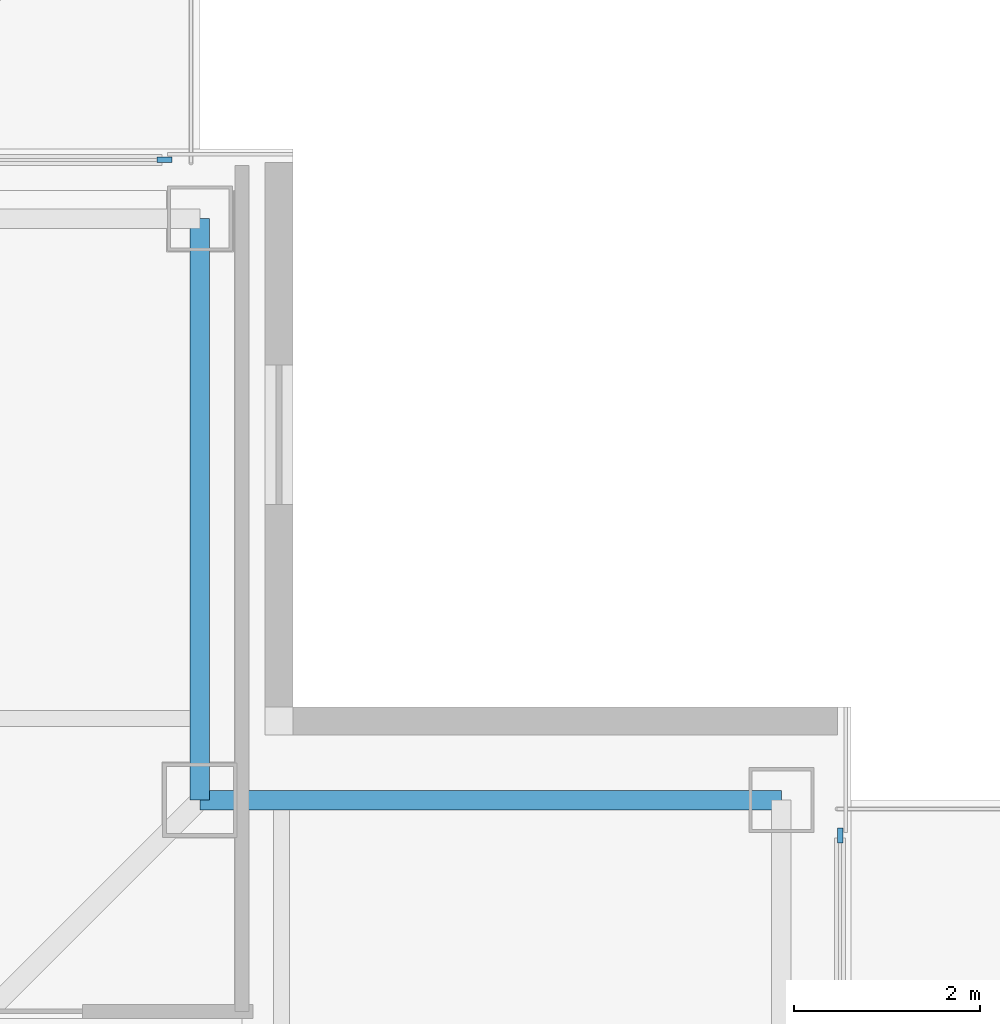
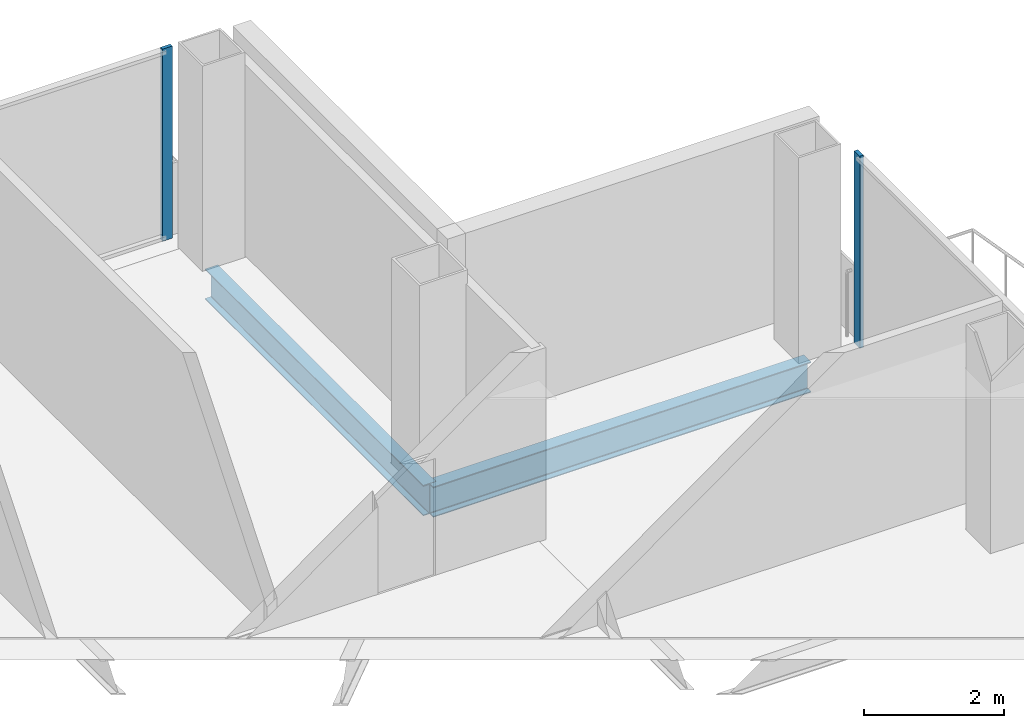
# One storey, part 8 of 17: 2 beams, 2 members, 2 elements without a shape of their own.
"""IFC4 building model written with IfcOpenShell, lengths in metres."""

from ifc_helpers import new_model, si_unit, direction, frame, origin, origin_2d, place, context, subcontext, project, spatial, rectangle, i_section, extrude, material, layer, layer_set, material_profile, profile_set, type_object, element, aggregate, save


model = new_model("IFC4")

# Units and contexts
model_context = context("Model", 3, precision=1e-05, world=origin(), true_north=direction((0.0, 1.0)))
body_context = subcontext(model_context, "Body", "Model", "MODEL_VIEW")
ifc_project = project(units=[si_unit("LENGTHUNIT", "METRE"), si_unit("AREAUNIT", "SQUARE_METRE"), si_unit("VOLUMEUNIT", "CUBIC_METRE"), si_unit("PLANEANGLEUNIT", "RADIAN"), si_unit("MASSUNIT", "GRAM", prefix="KILO")], contexts=[model_context])

# Site, building, storey
site_placement = place(None, origin())
site = spatial("IfcSite", under=ifc_project, at=site_placement, CompositionType="ELEMENT")
building_placement = place(site_placement, origin())
building = spatial("IfcBuilding", under=site, at=building_placement, Name="Trevonay Congress Spire", CompositionType="ELEMENT")
storey_placement = place(building_placement, frame((0.0, 0.0, 264.800048828125)))
storey = spatial("IfcBuildingStorey", under=building, at=storey_placement, Name="L69", CompositionType="ELEMENT", Elevation=264.800048828125)

# Beams
ifc_material_1 = material(Name="Steel ASTM A572 Grade 50", Category="steel")
ifc_material_profile_1 = material_profile(ifc_material_1, i_section(OverallWidth=0.208984375, OverallDepth=0.532958984375, WebThickness=0.01025390625, FlangeThickness=0.015625, FilletRadius=0.014892578125, at=origin_2d()), Name="W530x92")
ifc_profile_set_1 = profile_set([ifc_material_profile_1], Name="Steel ASTM A572 Grade 50")
beam_type = type_object("IfcBeamType", Name="BM-RING-W530X92", PredefinedType="BEAM", material=ifc_profile_set_1)
for number, where, z_axis, x_axis, name in (
    (1, (12.0, 18.25, -0.506591796875), (0.0, -1.0, 0.0), (1.0, 0.0, 0.0), "L69 structural beam BM-L69-N1NE"),
    (2, (18.25, 12.0, -0.506591796875), (-1.0, 0.0, 0.0), (0.0, -1.0, 0.0), "L69 structural beam BM-L69-N2NE"),
):
    element("IfcBeam", number, at=place(storey_placement, frame(where, z_axis=z_axis, x_axis=x_axis)), inside=storey, type_object=beam_type, Name=name, PredefinedType="BEAM", context=body_context, shape_type="SweptSolid", body=[
        extrude(i_section(OverallWidth=0.208984375, OverallDepth=0.532958984375, WebThickness=0.01025390625, FlangeThickness=0.015625, FilletRadius=0.014892578125, at=origin_2d()), origin(), (0.0, 0.0, 1.0), 6.25),
    ])

# Curtain wall, member
ifc_material_2 = material(Name="Pale Anodised Aluminium EN AW-6063-T6", Category="aluminium")
ifc_layer = layer(ifc_material_2, 0.1650390625, Name="Pale Anodised Aluminium EN AW-6063-T6")
ifc_layer_set = layer_set([ifc_layer], Name="Pale Anodised Aluminium EN AW-6063-T6")
curtain_wall_type = type_object("IfcCurtainWallType", Name="CW-SYS05-DIPLOM-PALE-METAL", PredefinedType="NOTDEFINED", material=ifc_layer_set)
curtain_wall_1_placement = place(storey_placement, origin())
curtain_wall_1 = element("IfcCurtainWall", 3, at=curtain_wall_1_placement, inside=storey, type_object=curtain_wall_type, Name="L69 NB unitised curtain wall", PredefinedType="NOTDEFINED")
ifc_material_profile_2 = material_profile(ifc_material_2, rectangle(XDim=0.06005859375, YDim=0.159912109375, at=origin_2d()), Name="CW-MULLION-160-ALUMINIUM")
ifc_profile_set_2 = profile_set([ifc_material_profile_2], Name="Pale Anodised Aluminium EN AW-6063-T6")
member_type = type_object("IfcMemberType", Name="CW-MULLION-160-ALUMINIUM", PredefinedType="MULLION", material=ifc_profile_set_2)
member_1_placement = place(storey_placement, frame((11.6201171875, 18.8798828125, 0.0), z_axis=(0.0, 0.0, 1.0), x_axis=(0.0, 1.0, 0.0)))
member_1 = element("IfcMember", 4, at=member_1_placement, type_object=member_type, Name="CW05 mullion 2", PredefinedType="MULLION", context=body_context, shape_type="SweptSolid", body=[
    extrude(rectangle(XDim=0.06005859375, YDim=0.159912109375, at=origin_2d()), origin(), (0.0, 0.0, 1.0), 3.35986328125),
])
aggregate(curtain_wall_1, [member_1])

curtain_wall_2_placement = place(storey_placement, origin())
curtain_wall_2 = element("IfcCurtainWall", 5, at=curtain_wall_2_placement, inside=storey, type_object=curtain_wall_type, Name="L69 EB unitised curtain wall", PredefinedType="NOTDEFINED")
member_2_placement = place(storey_placement, frame((18.8798828125, 11.6201171875, 0.0), z_axis=(0.0, 0.0, 1.0), x_axis=(-1.0, 0.0, 0.0)))
member_2 = element("IfcMember", 6, at=member_2_placement, type_object=member_type, Name="CW05 mullion 2", PredefinedType="MULLION", context=body_context, shape_type="SweptSolid", body=[
    extrude(rectangle(XDim=0.06005859375, YDim=0.159912109375, at=origin_2d()), origin(), (0.0, 0.0, 1.0), 3.35986328125),
])
aggregate(curtain_wall_2, [member_2])

save(model, "model.ifc")
